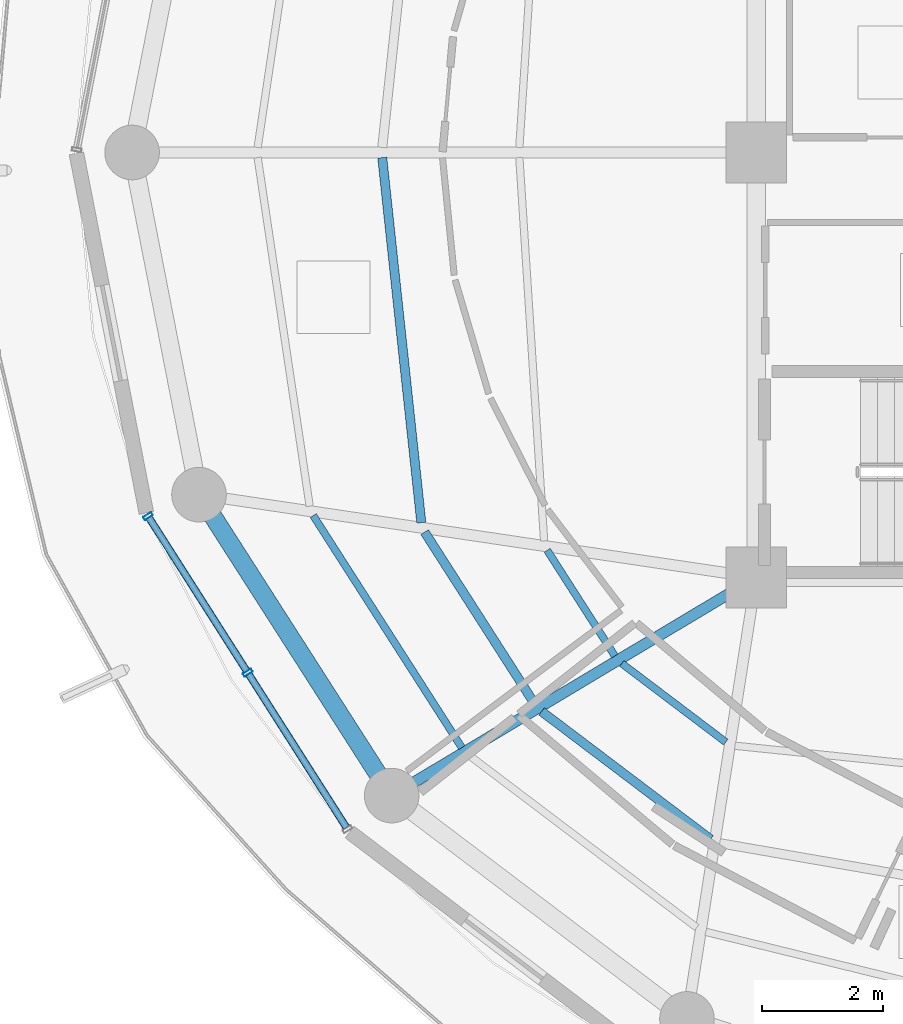
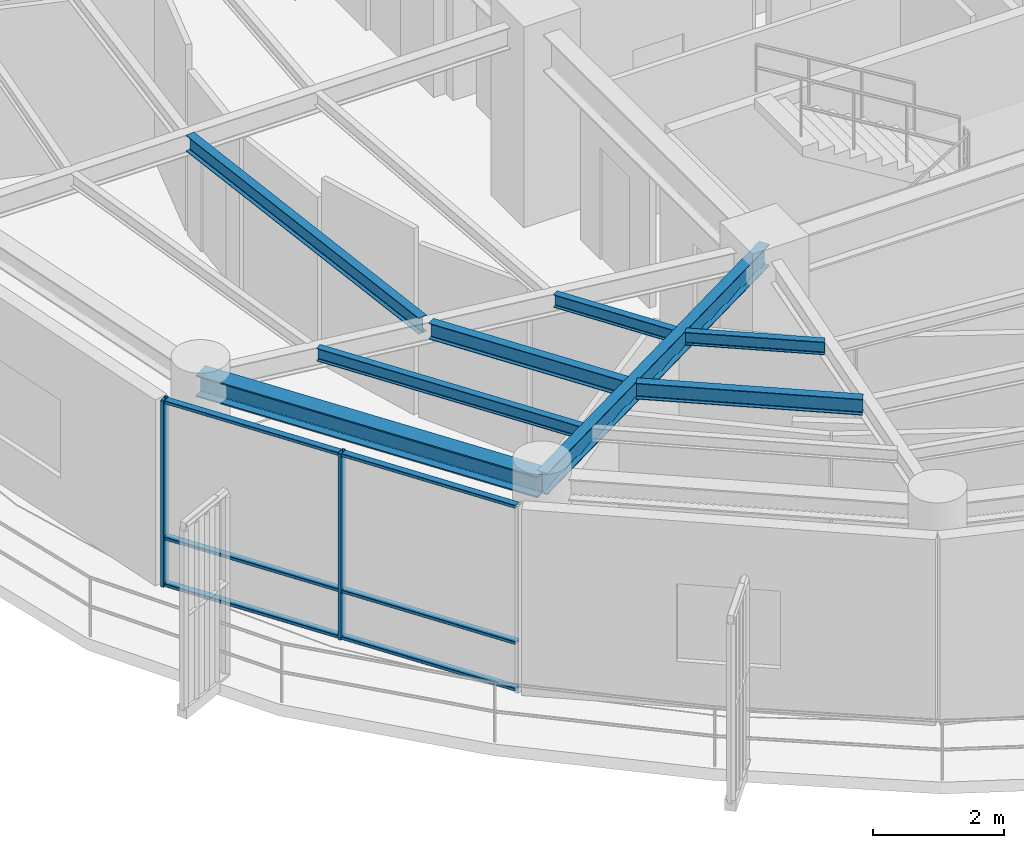
# One storey, part 3 of 23: 8 beams, 8 members, 1 element without a shape of its own.
"""IFC4 building model written with IfcOpenShell, lengths in metres."""

from ifc_helpers import new_model, si_unit, direction, frame, origin, origin_2d, place, context, subcontext, project, spatial, hollow_rectangle, i_section, extrude, material, layer, layer_set, material_profile, profile_set, type_object, element, aggregate, save


model = new_model("IFC4")

# Units and contexts
model_context = context("Model", 3, precision=1e-05, world=origin(), true_north=direction((0.0, 1.0)))
body_context = subcontext(model_context, "Body", "Model", "MODEL_VIEW")
ifc_project = project(units=[si_unit("LENGTHUNIT", "METRE"), si_unit("AREAUNIT", "SQUARE_METRE"), si_unit("VOLUMEUNIT", "CUBIC_METRE"), si_unit("PLANEANGLEUNIT", "RADIAN"), si_unit("MASSUNIT", "GRAM", prefix="KILO")], contexts=[model_context])

# Site, building, storey
site_placement = place(None, origin())
site = spatial("IfcSite", under=ifc_project, at=site_placement, CompositionType="ELEMENT")
building_placement = place(site_placement, origin())
building = spatial("IfcBuilding", under=site, at=building_placement, Name="Kelanora Arch Commons", CompositionType="ELEMENT")
storey_placement = place(building_placement, frame((0.0, 0.0, 282.449951171875)))
storey = spatial("IfcBuildingStorey", under=building, at=storey_placement, Name="L72", CompositionType="ELEMENT", Elevation=282.449951171875)

# Beams
ifc_material_1 = material(Name="Steel S355", Category="steel")
ifc_material_profile_1 = material_profile(ifc_material_1, i_section(OverallWidth=0.14990234375, OverallDepth=0.300048828125, WebThickness=0.007080078125, FlangeThickness=0.0107421875, FilletRadius=0.014892578125, at=origin_2d()), Name="IPE300")
ifc_profile_set_1 = profile_set([ifc_material_profile_1], Name="Steel S355")
beam_type_1 = type_object("IfcBeamType", Name="BM-JST-01", PredefinedType="JOIST", material=ifc_profile_set_1)
beam_1_placement = place(storey_placement, frame((59.841064453125, 57.91552734375, 3.340087890625), z_axis=(0.106380594087, -0.994325484538, 0.0), x_axis=(0.994325484538, 0.106380594087, 0.0)))
element("IfcBeam", 1, at=beam_1_placement, inside=storey, type_object=beam_type_1, Name="Secondary Chord Joist BJB-18 L72", PredefinedType="JOIST", context=body_context, shape_type="SweptSolid", body=[
    extrude(i_section(OverallWidth=0.14990234375, OverallDepth=0.300048828125, WebThickness=0.007080078125, FlangeThickness=0.0107421875, FilletRadius=0.014892578125, at=origin_2d()), origin(), (0.0, 0.0, 1.0), 6.04736328125),
])
beam_2_placement = place(storey_placement, frame((60.539306640625, 51.74658203125, 3.340087890625), z_axis=(0.539321586177, -0.842099891155, 0.0), x_axis=(0.842099891155, 0.539321586177, 0.0)))
element("IfcBeam", 2, at=beam_2_placement, inside=storey, type_object=beam_type_1, Name="Secondary Chord Joist BJB-20 L72", PredefinedType="JOIST", context=body_context, shape_type="SweptSolid", body=[
    extrude(i_section(OverallWidth=0.14990234375, OverallDepth=0.300048828125, WebThickness=0.007080078125, FlangeThickness=0.0107421875, FilletRadius=0.014892578125, at=origin_2d()), origin(), (0.0, 0.0, 1.0), 3.361572265625),
])
beam_3_placement = place(storey_placement, frame((62.4658203125, 48.79296875, 3.340087890625), z_axis=(0.797499198801, -0.603320004568, 0.0), x_axis=(0.603320004568, 0.797499198801, 0.0)))
element("IfcBeam", 3, at=beam_3_placement, inside=storey, type_object=beam_type_1, Name="Secondary Chord Joist BJB-22 L72", PredefinedType="JOIST", context=body_context, shape_type="SweptSolid", body=[
    extrude(i_section(OverallWidth=0.14990234375, OverallDepth=0.300048828125, WebThickness=0.007080078125, FlangeThickness=0.0107421875, FilletRadius=0.014892578125, at=origin_2d()), origin(), (0.0, 0.0, 1.0), 3.489013671875),
])
ifc_material_profile_2 = material_profile(ifc_material_1, i_section(OverallWidth=0.1201171875, OverallDepth=0.239990234375, WebThickness=0.006103515625, FlangeThickness=0.009765625, FilletRadius=0.014892578125, at=origin_2d()), Name="IPE240")
ifc_profile_set_2 = profile_set([ifc_material_profile_2], Name="Steel S355")
beam_type_2 = type_object("IfcBeamType", Name="BM-JST-02", PredefinedType="JOIST", material=ifc_profile_set_2)
beam_4_placement = place(storey_placement, frame((62.558349609375, 51.446533203125, 3.3701171875), z_axis=(0.539311810315, -0.842106152011, 0.0), x_axis=(0.842106152011, 0.539311810315, 0.0)))
element("IfcBeam", 4, at=beam_4_placement, inside=storey, type_object=beam_type_2, Name="Secondary Chord Joist BJA-20 L72", PredefinedType="JOIST", context=body_context, shape_type="SweptSolid", body=[
    extrude(i_section(OverallWidth=0.1201171875, OverallDepth=0.239990234375, WebThickness=0.006103515625, FlangeThickness=0.009765625, FilletRadius=0.014892578125, at=origin_2d()), origin(), (0.0, 0.0, 1.0), 2.06640625),
])
beam_5_placement = place(storey_placement, frame((58.703857421875, 52.019287109375, 3.3701171875), z_axis=(0.539288735289, -0.842120929552, 0.0), x_axis=(0.842120929552, 0.539288735289, 0.0)))
element("IfcBeam", 5, at=beam_5_placement, inside=storey, type_object=beam_type_2, Name="Secondary Chord Joist BJC-20 L72", PredefinedType="JOIST", context=body_context, shape_type="SweptSolid", body=[
    extrude(i_section(OverallWidth=0.1201171875, OverallDepth=0.239990234375, WebThickness=0.006103515625, FlangeThickness=0.009765625, FilletRadius=0.014892578125, at=origin_2d()), origin(), (0.0, 0.0, 1.0), 4.538818359375),
])
beam_6_placement = place(storey_placement, frame((63.78662109375, 49.583251953125, 3.3701171875), z_axis=(0.797509883882, -0.603305880222, 0.0), x_axis=(0.603305880222, 0.797509883882, 0.0)))
element("IfcBeam", 6, at=beam_6_placement, inside=storey, type_object=beam_type_2, Name="Secondary Chord Joist BJA-22 L72", PredefinedType="JOIST", context=body_context, shape_type="SweptSolid", body=[
    extrude(i_section(OverallWidth=0.1201171875, OverallDepth=0.239990234375, WebThickness=0.006103515625, FlangeThickness=0.009765625, FilletRadius=0.014892578125, at=origin_2d()), origin(), (0.0, 0.0, 1.0), 2.147216796875),
])
ifc_material_profile_3 = material_profile(ifc_material_1, i_section(OverallWidth=0.179931640625, OverallDepth=0.39990234375, WebThickness=0.008544921875, FlangeThickness=0.013427734375, FilletRadius=0.02099609375, at=origin_2d()), Name="IPE400")
ifc_profile_set_3 = profile_set([ifc_material_profile_3], Name="Steel S355")
beam_type_3 = type_object("IfcBeamType", Name="BM-RAD-Z5", PredefinedType="BEAM", material=ifc_profile_set_3)
beam_7_placement = place(storey_placement, frame((66.0, 51.0, 3.2900390625), z_axis=(-0.858062005744, -0.513546097541, 0.0), x_axis=(0.513546097541, -0.858062005744, 0.0)))
element("IfcBeam", 7, at=beam_7_placement, inside=storey, type_object=beam_type_3, Name="Radial Floor Girder BR-22 L72", PredefinedType="BEAM", context=body_context, shape_type="SweptSolid", body=[
    extrude(i_section(OverallWidth=0.179931640625, OverallDepth=0.39990234375, WebThickness=0.008544921875, FlangeThickness=0.013427734375, FilletRadius=0.02099609375, at=origin_2d()), origin(), (0.0, 0.0, 1.0), 6.99658203125),
])
ifc_material_profile_4 = material_profile(ifc_material_1, i_section(OverallWidth=0.300048828125, OverallDepth=0.39990234375, WebThickness=0.013427734375, FlangeThickness=0.02392578125, FilletRadius=0.027099609375, at=origin_2d()), Name="HEB400")
ifc_profile_set_4 = profile_set([ifc_material_profile_4], Name="Steel S355")
beam_type_4 = type_object("IfcBeamType", Name="BM-SPN-Z4", PredefinedType="SPANDREL", material=ifc_profile_set_4)
beam_8_placement = place(storey_placement, frame((56.822509765625, 52.363525390625, 3.2900390625), z_axis=(0.539280851353, -0.842125978322, 0.0), x_axis=(0.842125978322, 0.539280851353, 0.0)))
element("IfcBeam", 8, at=beam_8_placement, inside=storey, type_object=beam_type_4, Name="Perimeter Spandrel Beam BS-20 L72", PredefinedType="SPANDREL", context=body_context, shape_type="SweptSolid", body=[
    extrude(i_section(OverallWidth=0.300048828125, OverallDepth=0.39990234375, WebThickness=0.013427734375, FlangeThickness=0.02392578125, FilletRadius=0.027099609375, at=origin_2d()), origin(), (0.0, 0.0, 1.0), 5.8857421875),
])

# Curtain wall, members
ifc_material_2 = material(Name="Terracotta ceramic-fritted low-E glass and aluminium", Category="masonry")
ifc_layer = layer(ifc_material_2, 0.18994140625)
ifc_layer_set = layer_set([ifc_layer], Name="Terracotta ceramic-fritted low-E glass and aluminium")
curtain_wall_type = type_object("IfcCurtainWallType", Name="CW-SYS-03", PredefinedType="NOTDEFINED", material=ifc_layer_set)
curtain_wall_placement = place(storey_placement, origin())
curtain_wall = element("IfcCurtainWall", 9, at=curtain_wall_placement, inside=storey, type_object=curtain_wall_type, Name="Unitised Curtain Wall L72-B10", PredefinedType="NOTDEFINED")
ifc_material_3 = material(Name="Powder-coated aluminium terracotta", Category="masonry")
ifc_material_profile_5 = material_profile(ifc_material_3, hollow_rectangle(XDim=0.159912109375, YDim=0.06005859375, WallThickness=0.0048828125, InnerFilletRadius=0.0048828125, OuterFilletRadius=0.010009765625, at=origin_2d()), Name="CWM160x60")
ifc_profile_set_5 = profile_set([ifc_material_profile_5], Name="Powder-coated aluminium terracotta")
member_type_1 = type_object("IfcMemberType", Name="CWM-STD", PredefinedType="MULLION", material=ifc_profile_set_5)
member_1_placement = place(storey_placement, frame((55.982177734375, 52.0107421875, 0.0), z_axis=(0.0, 0.0, 1.0), x_axis=(0.843391314545, 0.537299814397, 0.0)))
member_1 = element("IfcMember", 10, at=member_1_placement, type_object=member_type_1, Name="CW-03 mullion 1", PredefinedType="MULLION", context=body_context, shape_type="SweptSolid", body=[
    extrude(hollow_rectangle(XDim=0.159912109375, YDim=0.06005859375, WallThickness=0.0048828125, InnerFilletRadius=0.0048828125, OuterFilletRadius=0.010009765625, at=origin_2d()), origin(), (0.0, 0.0, 1.0), 3.47509765625),
])
member_2_placement = place(storey_placement, frame((57.625, 49.43212890625, 0.0), z_axis=(0.0, 0.0, 1.0), x_axis=(0.843391314545, 0.537299814397, 0.0)))
member_2 = element("IfcMember", 11, at=member_2_placement, type_object=member_type_1, Name="CW-03 mullion 2", PredefinedType="MULLION", context=body_context, shape_type="SweptSolid", body=[
    extrude(hollow_rectangle(XDim=0.159912109375, YDim=0.06005859375, WallThickness=0.0048828125, InnerFilletRadius=0.0048828125, OuterFilletRadius=0.010009765625, at=origin_2d()), origin(), (0.0, 0.0, 1.0), 3.47509765625),
])
ifc_material_profile_6 = material_profile(ifc_material_3, hollow_rectangle(XDim=0.1201171875, YDim=0.06005859375, WallThickness=0.0048828125, InnerFilletRadius=0.0048828125, OuterFilletRadius=0.010009765625, at=origin_2d()), Name="CWT120x60")
ifc_profile_set_6 = profile_set([ifc_material_profile_6], Name="Powder-coated aluminium terracotta")
member_type_2 = type_object("IfcMemberType", Name="CWT-STD", PredefinedType="USERDEFINED", material=ifc_profile_set_6)
member_3_placement = place(storey_placement, frame((55.998291015625, 51.985595703125, 0.030029296875), z_axis=(0.537307571338, -0.843386372775, 0.0), x_axis=(0.843386372775, 0.537307571338, 0.0)))
member_3 = element("IfcMember", 12, at=member_3_placement, type_object=member_type_2, Name="CW-03 transom 1.1", ObjectType="TRANSOM", PredefinedType="USERDEFINED", context=body_context, shape_type="SweptSolid", body=[
    extrude(hollow_rectangle(XDim=0.1201171875, YDim=0.06005859375, WallThickness=0.0048828125, InnerFilletRadius=0.0048828125, OuterFilletRadius=0.010009765625, at=origin_2d()), origin(), (0.0, 0.0, 1.0), 2.99755859375),
])
member_4_placement = place(storey_placement, frame((55.998291015625, 51.985595703125, 0.900146484375), z_axis=(0.537307571338, -0.843386372775, 0.0), x_axis=(0.843386372775, 0.537307571338, 0.0)))
member_4 = element("IfcMember", 13, at=member_4_placement, type_object=member_type_2, Name="CW-03 transom 1.2", ObjectType="TRANSOM", PredefinedType="USERDEFINED", context=body_context, shape_type="SweptSolid", body=[
    extrude(hollow_rectangle(XDim=0.1201171875, YDim=0.06005859375, WallThickness=0.0048828125, InnerFilletRadius=0.0048828125, OuterFilletRadius=0.010009765625, at=origin_2d()), origin(), (0.0, 0.0, 1.0), 2.99755859375),
])
member_5_placement = place(storey_placement, frame((55.998291015625, 51.985595703125, 3.445068359375), z_axis=(0.537307571338, -0.843386372775, 0.0), x_axis=(0.843386372775, 0.537307571338, 0.0)))
member_5 = element("IfcMember", 14, at=member_5_placement, type_object=member_type_2, Name="CW-03 transom 1.3", ObjectType="TRANSOM", PredefinedType="USERDEFINED", context=body_context, shape_type="SweptSolid", body=[
    extrude(hollow_rectangle(XDim=0.1201171875, YDim=0.06005859375, WallThickness=0.0048828125, InnerFilletRadius=0.0048828125, OuterFilletRadius=0.010009765625, at=origin_2d()), origin(), (0.0, 0.0, 1.0), 2.99755859375),
])
member_6_placement = place(storey_placement, frame((57.64111328125, 49.40673828125, 0.030029296875), z_axis=(0.537286543791, -0.84339976871, 0.0), x_axis=(0.84339976871, 0.537286543791, 0.0)))
member_6 = element("IfcMember", 15, at=member_6_placement, type_object=member_type_2, Name="CW-03 transom 2.1", ObjectType="TRANSOM", PredefinedType="USERDEFINED", context=body_context, shape_type="SweptSolid", body=[
    extrude(hollow_rectangle(XDim=0.1201171875, YDim=0.06005859375, WallThickness=0.0048828125, InnerFilletRadius=0.0048828125, OuterFilletRadius=0.010009765625, at=origin_2d()), origin(), (0.0, 0.0, 1.0), 2.997314453125),
])
member_7_placement = place(storey_placement, frame((57.64111328125, 49.40673828125, 0.900146484375), z_axis=(0.537286543791, -0.84339976871, 0.0), x_axis=(0.84339976871, 0.537286543791, 0.0)))
member_7 = element("IfcMember", 16, at=member_7_placement, type_object=member_type_2, Name="CW-03 transom 2.2", ObjectType="TRANSOM", PredefinedType="USERDEFINED", context=body_context, shape_type="SweptSolid", body=[
    extrude(hollow_rectangle(XDim=0.1201171875, YDim=0.06005859375, WallThickness=0.0048828125, InnerFilletRadius=0.0048828125, OuterFilletRadius=0.010009765625, at=origin_2d()), origin(), (0.0, 0.0, 1.0), 2.997314453125),
])
member_8_placement = place(storey_placement, frame((57.64111328125, 49.40673828125, 3.445068359375), z_axis=(0.537286543791, -0.84339976871, 0.0), x_axis=(0.84339976871, 0.537286543791, 0.0)))
member_8 = element("IfcMember", 17, at=member_8_placement, type_object=member_type_2, Name="CW-03 transom 2.3", ObjectType="TRANSOM", PredefinedType="USERDEFINED", context=body_context, shape_type="SweptSolid", body=[
    extrude(hollow_rectangle(XDim=0.1201171875, YDim=0.06005859375, WallThickness=0.0048828125, InnerFilletRadius=0.0048828125, OuterFilletRadius=0.010009765625, at=origin_2d()), origin(), (0.0, 0.0, 1.0), 2.997314453125),
])
aggregate(curtain_wall, [member_1, member_2, member_3, member_4, member_5, member_6, member_7, member_8])

save(model, "model.ifc")
